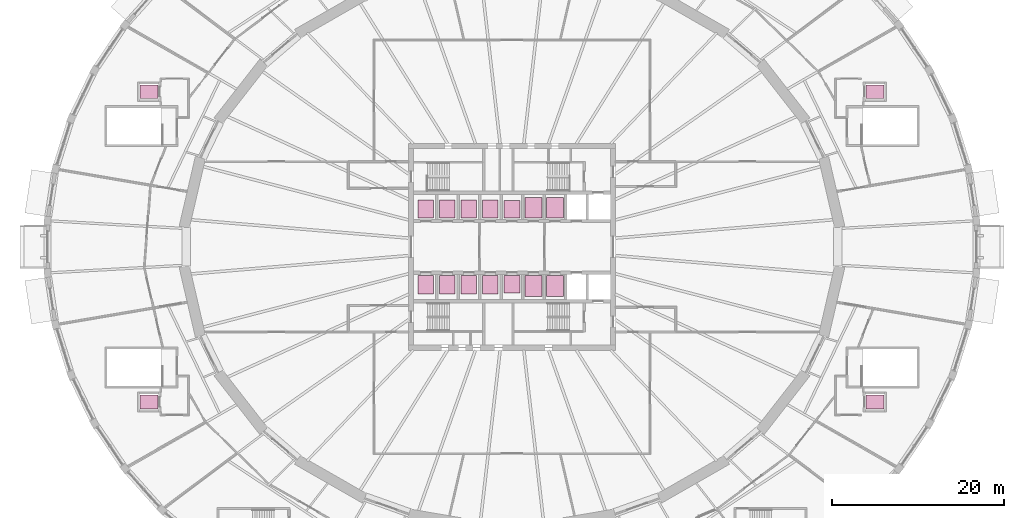
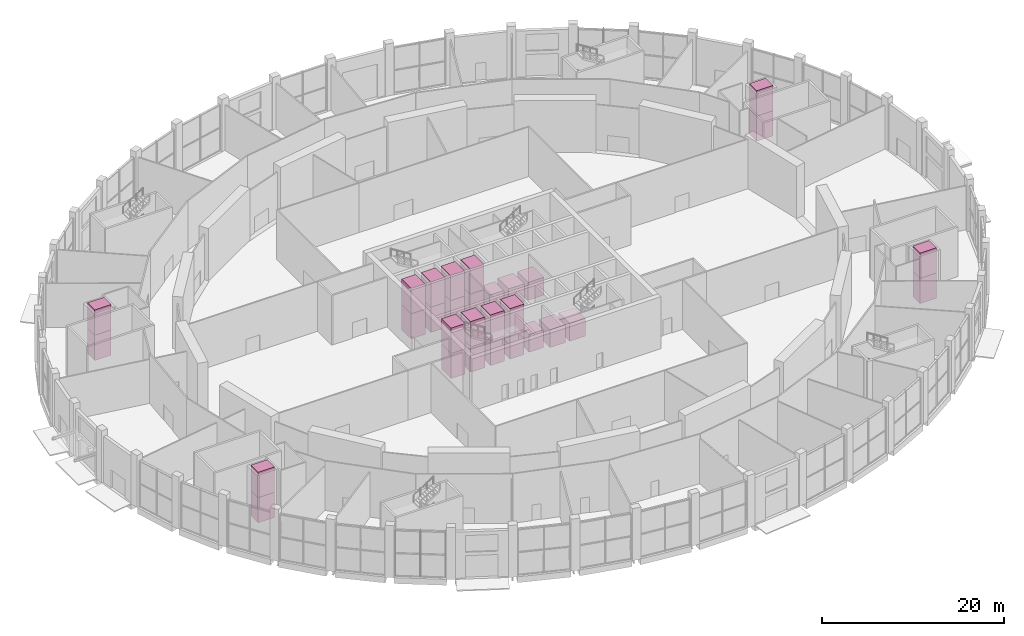
# One storey, part 33 of 33: 30 transport elements.
"""IFC4 building model written with IfcOpenShell, lengths in metres."""

from ifc_helpers import new_model, si_unit, direction, frame, origin, origin_2d, place, context, subcontext, project, spatial, rectangle, extrude, material, type_object, element, save


model = new_model("IFC4")

# Units and contexts
model_context = context("Model", 3, precision=1e-05, world=origin(), true_north=direction((0.0, 1.0)))
body_context = subcontext(model_context, "Body", "Model", "MODEL_VIEW")
ifc_project = project(units=[si_unit("LENGTHUNIT", "METRE"), si_unit("AREAUNIT", "SQUARE_METRE"), si_unit("VOLUMEUNIT", "CUBIC_METRE"), si_unit("PLANEANGLEUNIT", "RADIAN"), si_unit("MASSUNIT", "GRAM", prefix="KILO")], contexts=[model_context])

# Site, building, storey
site_placement = place(None, origin())
site = spatial("IfcSite", under=ifc_project, at=site_placement, CompositionType="ELEMENT")
building_placement = place(site_placement, origin())
building = spatial("IfcBuilding", under=site, at=building_placement, Name="Halqa Exchange Tower", CompositionType="ELEMENT")
storey_placement = place(building_placement, origin())
storey = spatial("IfcBuildingStorey", under=building, at=storey_placement, Name="L00", CompositionType="ELEMENT", Elevation=0.0)

# Transport elements
ifc_material = material(Name="Stainless steel", Category="steel")
transport_element_type_1 = type_object("IfcTransportElementType", Name="Accessible station lift 1600 x 2100", PredefinedType="ELEVATOR", material=ifc_material)
for number, where, z_axis, x_axis, name in (
    (1, (42.10009765625, 18.0, 0.0), (0.0, 0.0, 1.0), (1.0, 0.0, 0.0), "Accessible station lift AL1"),
    (2, (42.10009765625, 18.0, 3.400146484375), (0.0, 0.0, 1.0), (1.0, 0.0, 0.0), "Accessible station lift AL1"),
    (3, (42.10009765625, -18.0, 0.0), (0.0, 0.0, 1.0), (1.0, 0.0, 0.0), "Accessible station lift AL2"),
    (4, (42.10009765625, -18.0, 3.400146484375), (0.0, 0.0, 1.0), (1.0, 0.0, 0.0), "Accessible station lift AL2"),
    (5, (-42.10009765625, 18.0, 0.0), (0.0, 0.0, 1.0), (1.0, 0.0, 0.0), "Accessible station lift AL3"),
    (6, (-42.10009765625, 18.0, 3.400146484375), (0.0, 0.0, 1.0), (1.0, 0.0, 0.0), "Accessible station lift AL3"),
    (7, (-42.10009765625, -18.0, 0.0), (0.0, 0.0, 1.0), (1.0, 0.0, 0.0), "Accessible station lift AL4"),
    (8, (-42.10009765625, -18.0, 3.400146484375), (0.0, 0.0, 1.0), (1.0, 0.0, 0.0), "Accessible station lift AL4"),
):
    element("IfcTransportElement", number, at=place(storey_placement, frame(where, z_axis=z_axis, x_axis=x_axis)), inside=storey, type_object=transport_element_type_1, Name=name, PredefinedType="ELEVATOR", context=body_context, shape_type="SweptSolid", body=[
        extrude(rectangle(XDim=2.10009765625, YDim=1.60009765625, at=origin_2d()), origin(), (0.0, 0.0, 1.0), 3.39990234375),
    ])
transport_element_type_2 = type_object("IfcTransportElementType", Name="Low-rise passenger lift 1800 x 2100", PredefinedType="ELEVATOR", material=ifc_material)
for number, where, z_axis, x_axis, name in (
    (9, (-10.0, 4.39990234375, 0.0), (0.0, 0.0, 1.0), (1.0, 0.0, 0.0), "Low-rise passenger lift LR1"),
    (10, (-10.0, 4.39990234375, 3.400146484375), (0.0, 0.0, 1.0), (1.0, 0.0, 0.0), "Low-rise passenger lift LR1"),
    (11, (-7.5, 4.39990234375, 0.0), (0.0, 0.0, 1.0), (1.0, 0.0, 0.0), "Low-rise passenger lift LR2"),
    (12, (-7.5, 4.39990234375, 3.400146484375), (0.0, 0.0, 1.0), (1.0, 0.0, 0.0), "Low-rise passenger lift LR2"),
    (13, (-5.0, 4.39990234375, 0.0), (0.0, 0.0, 1.0), (1.0, 0.0, 0.0), "Low-rise passenger lift LR3"),
    (14, (-5.0, 4.39990234375, 3.400146484375), (0.0, 0.0, 1.0), (1.0, 0.0, 0.0), "Low-rise passenger lift LR3"),
    (15, (-2.5, 4.39990234375, 0.0), (0.0, 0.0, 1.0), (1.0, 0.0, 0.0), "Low-rise passenger lift LR4"),
    (16, (-2.5, 4.39990234375, 3.400146484375), (0.0, 0.0, 1.0), (1.0, 0.0, 0.0), "Low-rise passenger lift LR4"),
    (17, (-10.0, -4.39990234375, 0.0), (0.0, 0.0, 1.0), (1.0, 0.0, 0.0), "Low-rise passenger lift LR5"),
    (18, (-10.0, -4.39990234375, 3.400146484375), (0.0, 0.0, 1.0), (1.0, 0.0, 0.0), "Low-rise passenger lift LR5"),
    (19, (-7.5, -4.39990234375, 0.0), (0.0, 0.0, 1.0), (1.0, 0.0, 0.0), "Low-rise passenger lift LR6"),
    (20, (-7.5, -4.39990234375, 3.400146484375), (0.0, 0.0, 1.0), (1.0, 0.0, 0.0), "Low-rise passenger lift LR6"),
    (21, (-5.0, -4.39990234375, 0.0), (0.0, 0.0, 1.0), (1.0, 0.0, 0.0), "Low-rise passenger lift LR7"),
    (22, (-5.0, -4.39990234375, 3.400146484375), (0.0, 0.0, 1.0), (1.0, 0.0, 0.0), "Low-rise passenger lift LR7"),
    (23, (-2.5, -4.39990234375, 0.0), (0.0, 0.0, 1.0), (1.0, 0.0, 0.0), "Low-rise passenger lift LR8"),
    (24, (-2.5, -4.39990234375, 3.400146484375), (0.0, 0.0, 1.0), (1.0, 0.0, 0.0), "Low-rise passenger lift LR8"),
):
    element("IfcTransportElement", number, at=place(storey_placement, frame(where, z_axis=z_axis, x_axis=x_axis)), inside=storey, type_object=transport_element_type_2, Name=name, PredefinedType="ELEVATOR", context=body_context, shape_type="SweptSolid", body=[
        extrude(rectangle(XDim=1.800048828125, YDim=2.10009765625, at=origin_2d()), origin(), (0.0, 0.0, 1.0), 3.39990234375),
    ])
transport_element_type_3 = type_object("IfcTransportElementType", Name="Observation express lift 1800 x 2000", PredefinedType="ELEVATOR", material=ifc_material)
for number, where, z_axis, x_axis, name in (
    (25, (0.0, 4.35009765625, 0.0), (0.0, 0.0, 1.0), (1.0, 0.0, 0.0), "Observation express lift OB1"),
    (26, (0.0, -4.35009765625, 0.0), (0.0, 0.0, 1.0), (1.0, 0.0, 0.0), "Observation express lift OB2"),
):
    element("IfcTransportElement", number, at=place(storey_placement, frame(where, z_axis=z_axis, x_axis=x_axis)), inside=storey, type_object=transport_element_type_3, Name=name, PredefinedType="ELEVATOR", context=body_context, shape_type="SweptSolid", body=[
        extrude(rectangle(XDim=1.800048828125, YDim=2.0, at=origin_2d()), origin(), (0.0, 0.0, 1.0), 2.39990234375),
    ])
transport_element_type_4 = type_object("IfcTransportElementType", Name="Shuttle lift 2000 x 2400", PredefinedType="ELEVATOR", material=ifc_material)
for number, where, z_axis, x_axis, name in (
    (27, (2.5, 4.550048828125, 0.0), (0.0, 0.0, 1.0), (1.0, 0.0, 0.0), "Shuttle lift SH1"),
    (28, (5.0, 4.550048828125, 0.0), (0.0, 0.0, 1.0), (1.0, 0.0, 0.0), "Shuttle lift SH2"),
    (29, (2.5, -4.550048828125, 0.0), (0.0, 0.0, 1.0), (1.0, 0.0, 0.0), "Shuttle lift SH3"),
    (30, (5.0, -4.550048828125, 0.0), (0.0, 0.0, 1.0), (1.0, 0.0, 0.0), "Shuttle lift SH4"),
):
    element("IfcTransportElement", number, at=place(storey_placement, frame(where, z_axis=z_axis, x_axis=x_axis)), inside=storey, type_object=transport_element_type_4, Name=name, PredefinedType="ELEVATOR", context=body_context, shape_type="SweptSolid", body=[
        extrude(rectangle(XDim=2.0, YDim=2.39990234375, at=origin_2d()), origin(), (0.0, 0.0, 1.0), 2.39990234375),
    ])

save(model, "model.ifc")
